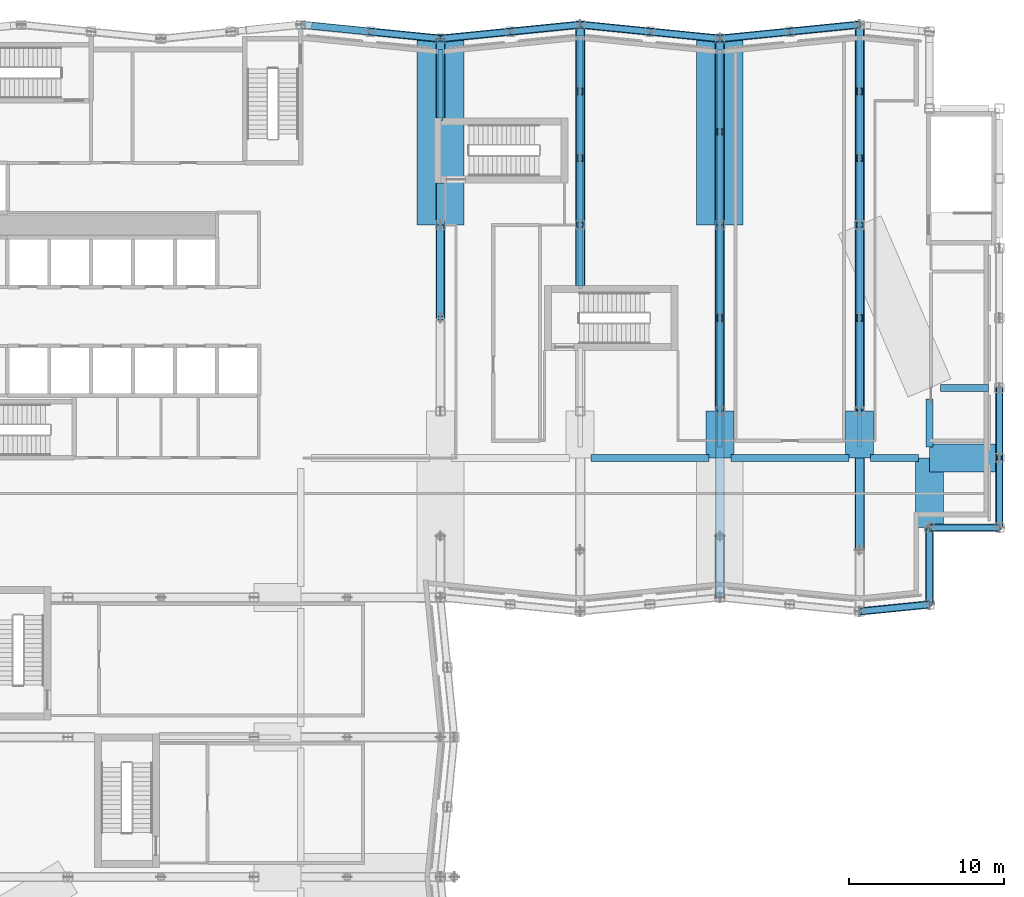
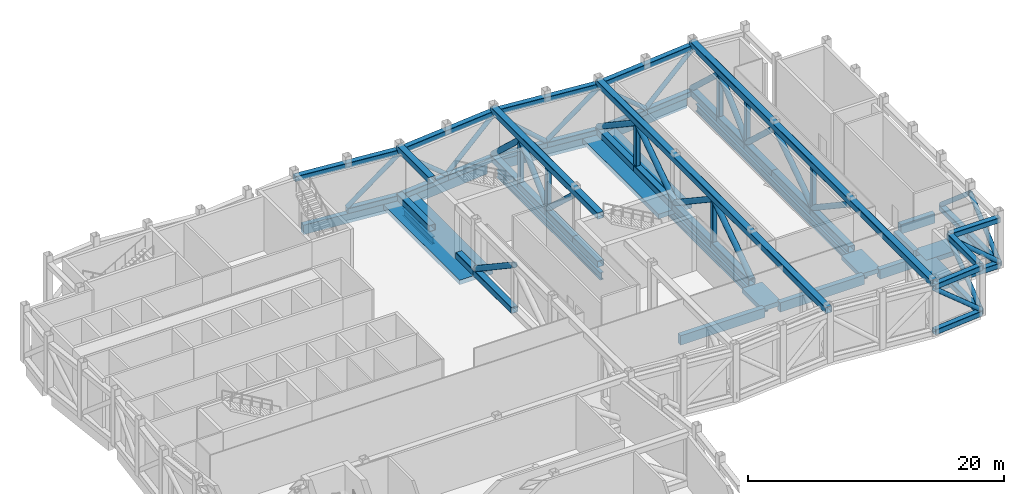
# One storey, part 7 of 22: 71 members, 19 beams.
"""IFC4 building model written with IfcOpenShell, lengths in metres."""

import ifcopenshell
import ifcopenshell.guid

model = None  # the IFC model being written
_history = None  # IfcOwnerHistory: only IFC2X3 demands one
_inside = {}  # id of a spatial element -> (the spatial element, [elements in it])
_under = {}  # id of a project, library or spatial element -> (it, [spatial elements below it])
_declared = {}  # id of a project -> (the project, [libraries it declares])
_typed = {}  # id of a type object -> (the type object, [elements of that type])
_made_of = {}  # id of a material, layer set ... -> (it, [elements and type objects made of it])


def new_model(schema):
    """Start an empty IFC model of exactly this schema.

    Asked for "IFC4X3", IfcOpenShell would pick the latest addendum, in which some entities
    have other attributes; the version numbers below select the first issue.
    IFC2X3 requires an IfcOwnerHistory on every rooted entity: one is made here for all.
    """
    global model, _history
    if schema == "IFC4X3":
        model = ifcopenshell.file(schema_version=(4, 3, 0, 0))
    else:
        model = ifcopenshell.file(schema=schema)
    _inside.clear()
    _under.clear()
    _declared.clear()
    _typed.clear()
    _made_of.clear()
    _history = None
    if model.schema == "IFC2X3":
        org = make("IfcOrganization", Name="unknown")
        user = make(
            "IfcPersonAndOrganization",
            ThePerson=make("IfcPerson", FamilyName="unknown"),
            TheOrganization=org,
        )
        app = make(
            "IfcApplication",
            ApplicationDeveloper=org,
            Version="unknown",
            ApplicationFullName="unknown",
            ApplicationIdentifier="unknown",
        )
        _history = make(
            "IfcOwnerHistory",
            OwningUser=user,
            OwningApplication=app,
            ChangeAction="ADDED",
            CreationDate=0,
        )
    return model


def make(cls, **values):
    """One entity of the class cls with the attributes given. An attribute that is None is left unset."""
    return model.create_entity(
        cls, **{name: value for name, value in values.items() if value is not None}
    )


def rooted(cls, **values):
    """An entity with a GlobalId (a new one), such as an element, a storey or a relation."""
    return make(cls, GlobalId=ifcopenshell.guid.new(), OwnerHistory=_history, **values)


def si_unit(unit_type, name, prefix=None):
    """IfcSIUnit, for example si_unit("LENGTHUNIT", "METRE", prefix="MILLI")."""
    return make("IfcSIUnit", UnitType=unit_type, Prefix=prefix, Name=name)


def assignment(units):
    """IfcUnitAssignment: the units of a project."""
    return None if units is None else make("IfcUnitAssignment", Units=units)


def point(xyz):
    """IfcCartesianPoint."""
    return None if xyz is None else make("IfcCartesianPoint", Coordinates=xyz)


def direction(xyz):
    """IfcDirection."""
    return None if xyz is None else make("IfcDirection", DirectionRatios=xyz)


def frame(location, z_axis=None, x_axis=None):
    """IfcAxis2Placement3D, a coordinate frame: its origin and axes. An axis left out is left unset."""
    return make(
        "IfcAxis2Placement3D",
        Location=point(location),
        Axis=direction(z_axis),
        RefDirection=direction(x_axis),
    )


def frame_2d(location, x_axis=None):
    """IfcAxis2Placement2D, a coordinate frame in the plane: its origin and x axis."""
    return make(
        "IfcAxis2Placement2D", Location=point(location), RefDirection=direction(x_axis)
    )


def origin():
    """The frame at (0, 0, 0) with its axes left unset."""
    return frame((0.0, 0.0, 0.0))


def origin_2d():
    """The frame at (0, 0) in the plane with its x axis left unset."""
    return frame_2d((0.0, 0.0))


def place(relative_to, where):
    """IfcLocalPlacement: puts the frame where relative to a parent placement (None: the world)."""
    return make(
        "IfcLocalPlacement", PlacementRelTo=relative_to, RelativePlacement=where
    )


def context(
    kind, dimensions, precision=None, world=None, true_north=None, identifier=None
):
    """IfcGeometricRepresentationContext, for example the 3D "Model" context."""
    return make(
        "IfcGeometricRepresentationContext",
        ContextIdentifier=identifier,
        ContextType=kind,
        CoordinateSpaceDimension=dimensions,
        Precision=precision,
        WorldCoordinateSystem=world,
        TrueNorth=true_north,
    )


def subcontext(parent, identifier, kind, view, scale=None):
    """IfcGeometricRepresentationSubContext, for example "Body" below "Model"."""
    return make(
        "IfcGeometricRepresentationSubContext",
        ContextIdentifier=identifier,
        ContextType=kind,
        ParentContext=parent,
        TargetScale=scale,
        TargetView=view,
    )


def project(units=None, contexts=None):
    """IfcProject with its units and contexts."""
    return rooted(
        "IfcProject",
        Name="project",
        RepresentationContexts=contexts,
        UnitsInContext=assignment(units),
    )


def spatial(cls, under=None, at=None, **own):
    """A site, building, storey or space (cls), placed at a placement, below another one or the project."""
    s = rooted(cls, ObjectPlacement=at, **own)
    if under is not None:
        _under.setdefault(under.id(), (under, []))[1].append(s)
    return s


def profile(cls, at=None, kind="AREA", **sizes):
    """A parametric profile (cls). Its sizes go by their IFC names, for example OverallWidth=200.0."""
    return make(cls, ProfileType=kind, Position=at, **sizes)


def rectangle(**sizes):
    """IfcRectangleProfileDef."""
    return profile("IfcRectangleProfileDef", **sizes)


def hollow_rectangle(**sizes):
    """IfcRectangleHollowProfileDef."""
    return profile("IfcRectangleHollowProfileDef", **sizes)


def hollow_circle(**sizes):
    """IfcCircleHollowProfileDef."""
    return profile("IfcCircleHollowProfileDef", **sizes)


def i_section(**sizes):
    """IfcIShapeProfileDef."""
    return profile("IfcIShapeProfileDef", **sizes)


def extrude(swept, where, along, depth):
    """IfcExtrudedAreaSolid: the profile swept, set in the frame where, extruded along a direction by depth."""
    return make(
        "IfcExtrudedAreaSolid",
        SweptArea=swept,
        Position=where,
        ExtrudedDirection=direction(along),
        Depth=depth,
    )


def shape(context_of_items, identifier, shape_type, items):
    """IfcShapeRepresentation: the items that make up one representation, for example the "Body"."""
    return make(
        "IfcShapeRepresentation",
        ContextOfItems=context_of_items,
        RepresentationIdentifier=identifier,
        RepresentationType=shape_type,
        Items=items,
    )


def material(Name=None, Category=None):
    """IfcMaterial."""
    return make("IfcMaterial", Name=Name, Category=Category)


def material_profile(
    of_material, cross_section, Name=None, Category=None, Priority=None
):
    """IfcMaterialProfile: a cross section and its material."""
    return make(
        "IfcMaterialProfile",
        Name=Name,
        Material=of_material,
        Profile=cross_section,
        Priority=Priority,
        Category=Category,
    )


def profile_set(profiles, Name=None, composite=None):
    """IfcMaterialProfileSet."""
    return make(
        "IfcMaterialProfileSet",
        Name=Name,
        MaterialProfiles=profiles,
        CompositeProfile=composite,
    )


def made_of(thing, what):
    """Note that an element or type object is made of a material, layer set ...; save() writes the relation."""
    if what is not None:
        _made_of.setdefault(what.id(), (what, []))[1].append(thing)
    return thing


def type_object(cls, material=None, **own):
    """A type object (cls), such as IfcWallType, which elements share."""
    return made_of(rooted(cls, **own), material)


def element(
    cls,
    number,
    at=None,
    inside=None,
    cuts=None,
    type_object=None,
    material=None,
    context=None,
    identifier="Body",
    shape_type=None,
    held_by="IfcProductDefinitionShape",
    body=None,
    shapes=None,
    **own,
):
    """One element of the class cls, such as IfcWall. Its Tag is "e" and its number.

    at: its placement. inside: the storey or other place that contains it. cuts: it is an
    opening in that element (IfcRelVoidsElement). A single representation is given by context,
    identifier, shape_type and body (its items); several are given by shapes. held_by: the class
    of the entity that holds the representations. save() writes the other relations.
    """
    e = rooted(cls, Tag="e%d" % number, ObjectPlacement=at, **own)
    if body is not None:
        shapes = [shape(context, identifier, shape_type, body)]
    if shapes is not None:
        e.Representation = make(held_by, Representations=shapes)
    if inside is not None:
        _inside.setdefault(inside.id(), (inside, []))[1].append(e)
    if cuts is not None:
        rooted(
            "IfcRelVoidsElement", RelatingBuildingElement=cuts, RelatedOpeningElement=e
        )
    if type_object is not None:
        _typed.setdefault(type_object.id(), (type_object, []))[1].append(e)
    return made_of(e, material)


def aggregate(whole, parts):
    """IfcRelAggregates: a whole, such as a stair, and the parts it consists of."""
    return rooted("IfcRelAggregates", RelatingObject=whole, RelatedObjects=parts)


def save(model, path):
    """Write the relations noted so far, then the file.

    IfcRelAggregates (storeys below a building ...), IfcRelContainedInSpatialStructure (elements
    in a storey), IfcRelDefinesByType, IfcRelAssociatesMaterial and IfcRelDeclares: one each for
    every whole, place, type object, material and project.
    """
    for whole, parts in _under.values():
        aggregate(whole, parts)
    for where, things in _inside.values():
        rooted(
            "IfcRelContainedInSpatialStructure",
            RelatedElements=things,
            RelatingStructure=where,
        )
    for kind, things in _typed.values():
        rooted("IfcRelDefinesByType", RelatedObjects=things, RelatingType=kind)
    for what, things in _made_of.values():
        rooted("IfcRelAssociatesMaterial", RelatedObjects=things, RelatingMaterial=what)
    for by, libraries in _declared.values():
        rooted("IfcRelDeclares", RelatingContext=by, RelatedDefinitions=libraries)
    model.write(path)


model = new_model("IFC4")

# Units and contexts
model_context = context("Model", 3, precision=1e-05, world=origin(), true_north=direction((0.0, 1.0)))
body_context = subcontext(model_context, "Body", "Model", "MODEL_VIEW")
ifc_project = project(units=[si_unit("LENGTHUNIT", "METRE"), si_unit("AREAUNIT", "SQUARE_METRE"), si_unit("VOLUMEUNIT", "CUBIC_METRE"), si_unit("PLANEANGLEUNIT", "RADIAN"), si_unit("MASSUNIT", "GRAM", prefix="KILO")], contexts=[model_context])

# Site, building, storey
site_placement = place(None, origin())
site = spatial("IfcSite", under=ifc_project, at=site_placement, CompositionType="ELEMENT")
building_placement = place(site_placement, origin())
building = spatial("IfcBuilding", under=site, at=building_placement, Name="Brondeck Convention Tower", CompositionType="ELEMENT")
storey_placement = place(building_placement, frame((0.0, 0.0, 32.0)))
storey = spatial("IfcBuildingStorey", under=building, at=storey_placement, Name="L05", CompositionType="ELEMENT", Elevation=32.0)

# Beams
ifc_material_1 = material(Name="Concrete C80/95", Category="concrete")
ifc_material_profile_1 = material_profile(ifc_material_1, rectangle(XDim=1.800048828125, YDim=0.43994140625, at=origin_2d()), Name="Band beam 1800x440 Concrete C80/95")
ifc_profile_set_1 = profile_set([ifc_material_profile_1], Name="Concrete C80/95")
beam_type_1 = type_object("IfcBeamType", Name="Band beam 1800x440 Concrete C80/95", PredefinedType="BEAM", material=ifc_profile_set_1)
for number, where, z_axis, x_axis, name in (
    (1, (54.0, 39.0, -0.219970703125), (0.0, -1.0, 0.0), (1.0, 0.0, 0.0), "Band beam L05-13"),
    (2, (63.0, 39.0, -0.219970703125), (0.0, -1.0, 0.0), (1.0, 0.0, 0.0), "Band beam L05-15"),
):
    element("IfcBeam", number, at=place(storey_placement, frame(where, z_axis=z_axis, x_axis=x_axis)), inside=storey, type_object=beam_type_1, Name=name, PredefinedType="BEAM", context=body_context, shape_type="SweptSolid", body=[
        extrude(rectangle(XDim=1.800048828125, YDim=0.43994140625, at=origin_2d()), origin(), (0.0, 0.0, 1.0), 3.0),
    ])
for number, where, z_axis, x_axis, name in (
    (3, (67.5, 31.5, -0.219970703125), (0.0, 1.0, 0.0), (-1.0, 0.0, 0.0), "Band beam L05-17"),
    (4, (72.0, 36.0, -0.219970703125), (-1.0, 0.0, 0.0), (0.0, -1.0, 0.0), "Band beam L05-18"),
):
    element("IfcBeam", number, at=place(storey_placement, frame(where, z_axis=z_axis, x_axis=x_axis)), inside=storey, type_object=beam_type_1, Name=name, PredefinedType="BEAM", context=body_context, shape_type="SweptSolid", body=[
        extrude(rectangle(XDim=1.800048828125, YDim=0.43994140625, at=origin_2d()), origin(), (0.0, 0.0, 1.0), 4.5),
    ])
ifc_material_profile_2 = material_profile(ifc_material_1, rectangle(XDim=3.0, YDim=0.43994140625, at=origin_2d()), Name="Band beam 3000x440 Concrete C80/95")
ifc_profile_set_2 = profile_set([ifc_material_profile_2], Name="Concrete C80/95")
beam_type_2 = type_object("IfcBeamType", Name="Band beam 3000x440 Concrete C80/95", PredefinedType="BEAM", material=ifc_profile_set_2)
for number, where, z_axis, x_axis, name in (
    (5, (36.0, 51.0, -0.219970703125), (0.0, 1.0, 0.0), (-1.0, 0.0, 0.0), "Band beam L05-10"),
    (6, (54.0, 51.0, -0.219970703125), (0.0, 1.0, 0.0), (-1.0, 0.0, 0.0), "Band beam L05-14"),
):
    element("IfcBeam", number, at=place(storey_placement, frame(where, z_axis=z_axis, x_axis=x_axis)), inside=storey, type_object=beam_type_2, Name=name, PredefinedType="BEAM", context=body_context, shape_type="SweptSolid", body=[
        extrude(rectangle(XDim=3.0, YDim=0.43994140625, at=origin_2d()), origin(), (0.0, 0.0, 1.0), 12.0),
    ])
ifc_material_profile_3 = material_profile(ifc_material_1, rectangle(XDim=0.449951171875, YDim=0.89990234375, at=origin_2d()), Name="Edge beam 450x900 Concrete C80/95")
ifc_profile_set_3 = profile_set([ifc_material_profile_3], Name="Concrete C80/95")
beam_type_3 = type_object("IfcBeamType", Name="Edge beam 450x900 Concrete C80/95", PredefinedType="BEAM", material=ifc_profile_set_3)
for number, where, z_axis, x_axis, name in (
    (7, (45.699951171875, 36.0, -0.449951171875), (1.0, 0.0, 0.0), (0.0, 1.0, 0.0), "STR-SP-L05-011"),
    (8, (54.699951171875, 36.0, -0.449951171875), (1.0, 0.0, 0.0), (0.0, 1.0, 0.0), "STR-SP-L05-012"),
):
    element("IfcBeam", number, at=place(storey_placement, frame(where, z_axis=z_axis, x_axis=x_axis)), inside=storey, type_object=beam_type_3, Name=name, PredefinedType="BEAM", context=body_context, shape_type="SweptSolid", body=[
        extrude(rectangle(XDim=0.449951171875, YDim=0.89990234375, at=origin_2d()), origin(), (0.0, 0.0, 1.0), 7.60009765625),
    ])
for number, where, z_axis, x_axis, name in (
    (9, (63.699951171875, 36.0, -0.449951171875), (1.0, 0.0, 0.0), (0.0, 1.0, 0.0), "STR-SP-L05-013"),
    (10, (67.5, 36.699951171875, -0.449951171875), (0.0, 1.0, 0.0), (-1.0, 0.0, 0.0), "STR-SP-L05-014"),
    (11, (68.199951171875, 40.5, -0.449951171875), (1.0, 0.0, 0.0), (0.0, 1.0, 0.0), "STR-SP-L05-015"),
):
    element("IfcBeam", number, at=place(storey_placement, frame(where, z_axis=z_axis, x_axis=x_axis)), inside=storey, type_object=beam_type_3, Name=name, PredefinedType="BEAM", context=body_context, shape_type="SweptSolid", body=[
        extrude(rectangle(XDim=0.449951171875, YDim=0.89990234375, at=origin_2d()), origin(), (0.0, 0.0, 1.0), 3.10009765625),
    ])
for number, where, z_axis, x_axis, name in (
    (12, (62.300048828125, 63.830078125, -0.449951171875), (-0.99503719021, -0.099503719021, 0.0), (0.099503719021, -0.99503719021, 0.0), "STR-SP-L05-021"),
    (13, (53.300048828125, 63.070068359375, -0.449951171875), (-0.99503719021, 0.099503719021, 0.0), (-0.099503719021, -0.99503719021, 0.0), "STR-SP-L05-022"),
    (14, (44.300048828125, 63.830078125, -0.449951171875), (-0.99503719021, -0.099503719021, 0.0), (0.099503719021, -0.99503719021, 0.0), "STR-SP-L05-023"),
    (15, (35.300048828125, 63.070068359375, -0.449951171875), (-0.99503719021, 0.099503719021, 0.0), (-0.099503719021, -0.99503719021, 0.0), "STR-SP-L05-024"),
):
    element("IfcBeam", number, at=place(storey_placement, frame(where, z_axis=z_axis, x_axis=x_axis)), inside=storey, type_object=beam_type_3, Name=name, PredefinedType="BEAM", context=body_context, shape_type="SweptSolid", body=[
        extrude(rectangle(XDim=0.449951171875, YDim=0.89990234375, at=origin_2d()), origin(), (0.0, 0.0, 1.0), 7.637939453125),
    ])
ifc_material_2 = material(Name="Steel S355", Category="steel")
ifc_material_profile_4 = material_profile(ifc_material_2, i_section(OverallWidth=0.300048828125, OverallDepth=0.699951171875, WebThickness=0.01708984375, FlangeThickness=0.031982421875, FilletRadius=0.027099609375, at=origin_2d()), Name="HEB 700")
ifc_profile_set_4 = profile_set([ifc_material_profile_4], Name="Steel S355")
beam_type_4 = type_object("IfcBeamType", Name="Girder HEB 700", PredefinedType="BEAM", material=ifc_profile_set_4)
beam_1_placement = place(storey_placement, frame((36.0, 57.719970703125, -0.800048828125), z_axis=(0.0, 1.0, 0.0), x_axis=(-1.0, 0.0, 0.0)))
element("IfcBeam", 16, at=beam_1_placement, inside=storey, type_object=beam_type_4, Name="STR-GR-L05-002", PredefinedType="BEAM", context=body_context, shape_type="SweptSolid", body=[
    extrude(i_section(OverallWidth=0.300048828125, OverallDepth=0.699951171875, WebThickness=0.01708984375, FlangeThickness=0.031982421875, FilletRadius=0.027099609375, at=origin_2d()), origin(), (0.0, 0.0, 1.0), 4.580078125),
])
beam_2_placement = place(storey_placement, frame((45.0, 46.919921875, -0.800048828125), z_axis=(0.0, 1.0, 0.0), x_axis=(-1.0, 0.0, 0.0)))
element("IfcBeam", 17, at=beam_2_placement, inside=storey, type_object=beam_type_4, Name="STR-GR-L05-004", PredefinedType="BEAM", context=body_context, shape_type="SweptSolid", body=[
    extrude(i_section(OverallWidth=0.300048828125, OverallDepth=0.699951171875, WebThickness=0.01708984375, FlangeThickness=0.031982421875, FilletRadius=0.027099609375, at=origin_2d()), origin(), (0.0, 0.0, 1.0), 16.280029296875),
])
beam_3_placement = place(storey_placement, frame((54.0, 36.699951171875, -0.800048828125), z_axis=(0.0, 1.0, 0.0), x_axis=(-1.0, 0.0, 0.0)))
element("IfcBeam", 18, at=beam_3_placement, inside=storey, type_object=beam_type_4, Name="STR-GR-L05-005", PredefinedType="BEAM", context=body_context, shape_type="SweptSolid", body=[
    extrude(i_section(OverallWidth=0.300048828125, OverallDepth=0.699951171875, WebThickness=0.01708984375, FlangeThickness=0.031982421875, FilletRadius=0.027099609375, at=origin_2d()), origin(), (0.0, 0.0, 1.0), 25.60009765625),
])
beam_4_placement = place(storey_placement, frame((63.0, 36.699951171875, -0.800048828125), z_axis=(0.0, 1.0, 0.0), x_axis=(-1.0, 0.0, 0.0)))
element("IfcBeam", 19, at=beam_4_placement, inside=storey, type_object=beam_type_4, Name="STR-GR-L05-006", PredefinedType="BEAM", context=body_context, shape_type="SweptSolid", body=[
    extrude(i_section(OverallWidth=0.300048828125, OverallDepth=0.699951171875, WebThickness=0.01708984375, FlangeThickness=0.031982421875, FilletRadius=0.027099609375, at=origin_2d()), origin(), (0.0, 0.0, 1.0), 26.5),
])

# Members
ifc_material_3 = material(Name="Steel S460", Category="steel")
ifc_material_profile_5 = material_profile(ifc_material_3, hollow_rectangle(XDim=0.5, YDim=0.5, WallThickness=0.02490234375, InnerFilletRadius=0.02490234375, OuterFilletRadius=0.050048828125, at=origin_2d()), Name="RHS 500x500x25")
ifc_profile_set_5 = profile_set([ifc_material_profile_5], Name="Steel S460")
member_type_1 = type_object("IfcMemberType", Name="Truss chord RHS 500x500x25", PredefinedType="CHORD", material=ifc_profile_set_5)
member_1_placement = place(storey_placement, frame((63.0, 26.10009765625, 4.60009765625), z_axis=(0.995038259148, 0.099493029059, 0.0), x_axis=(-0.099493029059, 0.995038259148, 0.0)))
element("IfcMember", 20, at=member_1_placement, inside=storey, type_object=member_type_1, Name="Transfer truss T1-P1 chord", PredefinedType="CHORD", context=body_context, shape_type="SweptSolid", body=[
    extrude(hollow_rectangle(XDim=0.5, YDim=0.5, WallThickness=0.02490234375, InnerFilletRadius=0.02490234375, OuterFilletRadius=0.050048828125, at=origin_2d()), origin(), (0.0, 0.0, 1.0), 4.5224609375),
])
member_2_placement = place(storey_placement, frame((67.5, 26.550048828125, 4.60009765625), z_axis=(0.0, 1.0, 0.0), x_axis=(-1.0, 0.0, 0.0)))
element("IfcMember", 21, at=member_2_placement, inside=storey, type_object=member_type_1, Name="Transfer truss T1-P1 chord", PredefinedType="CHORD", context=body_context, shape_type="SweptSolid", body=[
    extrude(hollow_rectangle(XDim=0.5, YDim=0.5, WallThickness=0.02490234375, InnerFilletRadius=0.02490234375, OuterFilletRadius=0.050048828125, at=origin_2d()), origin(), (0.0, 0.0, 1.0), 4.949951171875),
])
member_3_placement = place(storey_placement, frame((67.5, 31.5, 4.60009765625), z_axis=(1.0, 0.0, 0.0), x_axis=(0.0, 1.0, 0.0)))
element("IfcMember", 22, at=member_3_placement, inside=storey, type_object=member_type_1, Name="Transfer truss T1-P1 chord", PredefinedType="CHORD", context=body_context, shape_type="SweptSolid", body=[
    extrude(hollow_rectangle(XDim=0.5, YDim=0.5, WallThickness=0.02490234375, InnerFilletRadius=0.02490234375, OuterFilletRadius=0.050048828125, at=origin_2d()), origin(), (0.0, 0.0, 1.0), 4.5),
])
for number, where, z_axis, x_axis, name in (
    (23, (63.0, 63.89990234375, 4.60009765625), (-0.995038259148, -0.099493029059, 0.0), (0.099493029059, -0.995038259148, 0.0), "Transfer truss T1-P1 chord"),
    (24, (54.0, 63.0, 4.60009765625), (-0.995038259148, 0.099493029059, 0.0), (-0.099493029059, -0.995038259148, 0.0), "Transfer truss T1-P1 chord"),
    (25, (45.0, 63.89990234375, 4.60009765625), (-0.995038259148, -0.099493029059, 0.0), (0.099493029059, -0.995038259148, 0.0), "Transfer truss T1-P1 chord"),
    (26, (36.0, 63.0, 4.60009765625), (-0.995038259148, 0.099493029059, 0.0), (-0.099493029059, -0.995038259148, 0.0), "Transfer truss T1-P1 chord"),
):
    element("IfcMember", number, at=place(storey_placement, frame(where, z_axis=z_axis, x_axis=x_axis)), inside=storey, type_object=member_type_1, Name=name, PredefinedType="CHORD", context=body_context, shape_type="SweptSolid", body=[
        extrude(hollow_rectangle(XDim=0.5, YDim=0.5, WallThickness=0.02490234375, InnerFilletRadius=0.02490234375, OuterFilletRadius=0.050048828125, at=origin_2d()), origin(), (0.0, 0.0, 1.0), 9.044921875),
    ])
member_4_placement = place(storey_placement, frame((63.0, 26.10009765625, 0.25), z_axis=(0.995038259148, 0.099493029059, 0.0), x_axis=(-0.099493029059, 0.995038259148, 0.0)))
element("IfcMember", 27, at=member_4_placement, inside=storey, type_object=member_type_1, Name="Transfer truss T1-P1 chord", PredefinedType="CHORD", context=body_context, shape_type="SweptSolid", body=[
    extrude(hollow_rectangle(XDim=0.5, YDim=0.5, WallThickness=0.02490234375, InnerFilletRadius=0.02490234375, OuterFilletRadius=0.050048828125, at=origin_2d()), origin(), (0.0, 0.0, 1.0), 4.5224609375),
])
member_5_placement = place(storey_placement, frame((67.5, 26.550048828125, 0.25), z_axis=(0.0, 1.0, 0.0), x_axis=(-1.0, 0.0, 0.0)))
element("IfcMember", 28, at=member_5_placement, inside=storey, type_object=member_type_1, Name="Transfer truss T1-P1 chord", PredefinedType="CHORD", context=body_context, shape_type="SweptSolid", body=[
    extrude(hollow_rectangle(XDim=0.5, YDim=0.5, WallThickness=0.02490234375, InnerFilletRadius=0.02490234375, OuterFilletRadius=0.050048828125, at=origin_2d()), origin(), (0.0, 0.0, 1.0), 4.949951171875),
])
for number, where, z_axis, x_axis, name in (
    (29, (67.5, 31.5, 0.25), (1.0, 0.0, 0.0), (0.0, 1.0, 0.0), "Transfer truss T1-P1 chord"),
    (30, (72.0, 31.5, 0.25), (0.0, 1.0, 0.0), (-1.0, 0.0, 0.0), "Transfer truss T1-P1 chord"),
    (31, (72.0, 36.0, 0.25), (0.0, 1.0, 0.0), (-1.0, 0.0, 0.0), "Transfer truss T1-P1 chord"),
):
    element("IfcMember", number, at=place(storey_placement, frame(where, z_axis=z_axis, x_axis=x_axis)), inside=storey, type_object=member_type_1, Name=name, PredefinedType="CHORD", context=body_context, shape_type="SweptSolid", body=[
        extrude(hollow_rectangle(XDim=0.5, YDim=0.5, WallThickness=0.02490234375, InnerFilletRadius=0.02490234375, OuterFilletRadius=0.050048828125, at=origin_2d()), origin(), (0.0, 0.0, 1.0), 4.5),
    ])
for number, where, z_axis, x_axis, name in (
    (32, (63.0, 63.89990234375, 0.25), (-0.995038259148, -0.099493029059, 0.0), (0.099493029059, -0.995038259148, 0.0), "Transfer truss T1-P1 chord"),
    (33, (58.5, 63.449951171875, 0.25), (-0.995038259148, -0.099493029059, 0.0), (0.099493029059, -0.995038259148, 0.0), "Transfer truss T1-P1 chord"),
    (34, (54.0, 63.0, 0.25), (-0.995038259148, 0.099493029059, 0.0), (-0.099493029059, -0.995038259148, 0.0), "Transfer truss T1-P1 chord"),
    (35, (49.5, 63.449951171875, 0.25), (-0.995038259148, 0.099493029059, 0.0), (-0.099493029059, -0.995038259148, 0.0), "Transfer truss T1-P1 chord"),
    (36, (45.0, 63.89990234375, 0.25), (-0.995038259148, -0.099493029059, 0.0), (0.099493029059, -0.995038259148, 0.0), "Transfer truss T1-P1 chord"),
    (37, (40.5, 63.449951171875, 0.25), (-0.995038259148, -0.099493029059, 0.0), (0.099493029059, -0.995038259148, 0.0), "Transfer truss T1-P1 chord"),
    (38, (36.0, 63.0, 0.25), (-0.995038259148, 0.099493029059, 0.0), (-0.099493029059, -0.995038259148, 0.0), "Transfer truss T1-P1 chord"),
):
    element("IfcMember", number, at=place(storey_placement, frame(where, z_axis=z_axis, x_axis=x_axis)), inside=storey, type_object=member_type_1, Name=name, PredefinedType="CHORD", context=body_context, shape_type="SweptSolid", body=[
        extrude(hollow_rectangle(XDim=0.5, YDim=0.5, WallThickness=0.02490234375, InnerFilletRadius=0.02490234375, OuterFilletRadius=0.050048828125, at=origin_2d()), origin(), (0.0, 0.0, 1.0), 4.5224609375),
    ])
ifc_material_profile_6 = material_profile(ifc_material_3, hollow_rectangle(XDim=0.60009765625, YDim=0.60009765625, WallThickness=0.030029296875, InnerFilletRadius=0.030029296875, OuterFilletRadius=0.06005859375, at=origin_2d()), Name="RHS 600x600x30")
ifc_profile_set_6 = profile_set([ifc_material_profile_6], Name="Steel S460")
member_type_2 = type_object("IfcMemberType", Name="Truss chord RHS 600x600x30", PredefinedType="CHORD", material=ifc_profile_set_6)
member_6_placement = place(storey_placement, frame((36.0, 57.89990234375, 4.89990234375), z_axis=(0.0, 1.0, 0.0), x_axis=(-1.0, 0.0, 0.0)))
element("IfcMember", 39, at=member_6_placement, inside=storey, type_object=member_type_2, Name="Transfer truss T1-A1 chord", PredefinedType="CHORD", context=body_context, shape_type="SweptSolid", body=[
    extrude(hollow_rectangle(XDim=0.60009765625, YDim=0.60009765625, WallThickness=0.030029296875, InnerFilletRadius=0.030029296875, OuterFilletRadius=0.06005859375, at=origin_2d()), origin(), (0.0, 0.0, 1.0), 5.10009765625),
])
member_7_placement = place(storey_placement, frame((36.0, 45.0, 0.300048828125), z_axis=(0.0, 1.0, 0.0), x_axis=(-1.0, 0.0, 0.0)))
element("IfcMember", 40, at=member_7_placement, inside=storey, type_object=member_type_2, Name="Transfer truss T1-A1 chord", PredefinedType="CHORD", context=body_context, shape_type="SweptSolid", body=[
    extrude(hollow_rectangle(XDim=0.60009765625, YDim=0.60009765625, WallThickness=0.030029296875, InnerFilletRadius=0.030029296875, OuterFilletRadius=0.06005859375, at=origin_2d()), origin(), (0.0, 0.0, 1.0), 6.0),
])
member_8_placement = place(storey_placement, frame((36.0, 51.0, 0.300048828125), z_axis=(0.0, 1.0, 0.0), x_axis=(-1.0, 0.0, 0.0)))
element("IfcMember", 41, at=member_8_placement, inside=storey, type_object=member_type_2, Name="Transfer truss T1-A1 chord", PredefinedType="CHORD", context=body_context, shape_type="SweptSolid", body=[
    extrude(hollow_rectangle(XDim=0.60009765625, YDim=0.60009765625, WallThickness=0.030029296875, InnerFilletRadius=0.030029296875, OuterFilletRadius=0.06005859375, at=origin_2d()), origin(), (0.0, 0.0, 1.0), 2.699951171875),
])
member_9_placement = place(storey_placement, frame((36.0, 57.89990234375, 0.300048828125), z_axis=(0.0, 1.0, 0.0), x_axis=(-1.0, 0.0, 0.0)))
element("IfcMember", 42, at=member_9_placement, inside=storey, type_object=member_type_2, Name="Transfer truss T1-A1 chord", PredefinedType="CHORD", context=body_context, shape_type="SweptSolid", body=[
    extrude(hollow_rectangle(XDim=0.60009765625, YDim=0.60009765625, WallThickness=0.030029296875, InnerFilletRadius=0.030029296875, OuterFilletRadius=0.06005859375, at=origin_2d()), origin(), (0.0, 0.0, 1.0), 5.10009765625),
])
member_10_placement = place(storey_placement, frame((45.0, 47.10009765625, 4.89990234375), z_axis=(0.0, 1.0, 0.0), x_axis=(-1.0, 0.0, 0.0)))
element("IfcMember", 43, at=member_10_placement, inside=storey, type_object=member_type_2, Name="Transfer truss T1-A2 chord", PredefinedType="CHORD", context=body_context, shape_type="SweptSolid", body=[
    extrude(hollow_rectangle(XDim=0.60009765625, YDim=0.60009765625, WallThickness=0.030029296875, InnerFilletRadius=0.030029296875, OuterFilletRadius=0.06005859375, at=origin_2d()), origin(), (0.0, 0.0, 1.0), 16.7998046875),
])
member_11_placement = place(storey_placement, frame((45.0, 47.10009765625, 0.300048828125), z_axis=(0.0, 1.0, 0.0), x_axis=(-1.0, 0.0, 0.0)))
element("IfcMember", 44, at=member_11_placement, inside=storey, type_object=member_type_2, Name="Transfer truss T1-A2 chord", PredefinedType="CHORD", context=body_context, shape_type="SweptSolid", body=[
    extrude(hollow_rectangle(XDim=0.60009765625, YDim=0.60009765625, WallThickness=0.030029296875, InnerFilletRadius=0.030029296875, OuterFilletRadius=0.06005859375, at=origin_2d()), origin(), (0.0, 0.0, 1.0), 3.89990234375),
])
for number, where, z_axis, x_axis, name in (
    (45, (45.0, 51.0, 0.300048828125), (0.0, 1.0, 0.0), (-1.0, 0.0, 0.0), "Transfer truss T1-A2 chord"),
    (46, (45.0, 55.300048828125, 0.300048828125), (0.0, 1.0, 0.0), (-1.0, 0.0, 0.0), "Transfer truss T1-A2 chord"),
):
    element("IfcMember", number, at=place(storey_placement, frame(where, z_axis=z_axis, x_axis=x_axis)), inside=storey, type_object=member_type_2, Name=name, PredefinedType="CHORD", context=body_context, shape_type="SweptSolid", body=[
        extrude(hollow_rectangle(XDim=0.60009765625, YDim=0.60009765625, WallThickness=0.030029296875, InnerFilletRadius=0.030029296875, OuterFilletRadius=0.06005859375, at=origin_2d()), origin(), (0.0, 0.0, 1.0), 4.300048828125),
    ])
member_12_placement = place(storey_placement, frame((45.0, 59.60009765625, 0.300048828125), z_axis=(0.0, 1.0, 0.0), x_axis=(-1.0, 0.0, 0.0)))
element("IfcMember", 47, at=member_12_placement, inside=storey, type_object=member_type_2, Name="Transfer truss T1-A2 chord", PredefinedType="CHORD", context=body_context, shape_type="SweptSolid", body=[
    extrude(hollow_rectangle(XDim=0.60009765625, YDim=0.60009765625, WallThickness=0.030029296875, InnerFilletRadius=0.030029296875, OuterFilletRadius=0.06005859375, at=origin_2d()), origin(), (0.0, 0.0, 1.0), 4.2998046875),
])
member_13_placement = place(storey_placement, frame((54.0, 27.0, 4.89990234375), z_axis=(0.0, 1.0, 0.0), x_axis=(-1.0, 0.0, 0.0)))
element("IfcMember", 48, at=member_13_placement, inside=storey, type_object=member_type_2, Name="Transfer truss T1-A3 chord", PredefinedType="CHORD", context=body_context, shape_type="SweptSolid", body=[
    extrude(hollow_rectangle(XDim=0.60009765625, YDim=0.60009765625, WallThickness=0.030029296875, InnerFilletRadius=0.030029296875, OuterFilletRadius=0.06005859375, at=origin_2d()), origin(), (0.0, 0.0, 1.0), 36.0),
])
for number, where, z_axis, x_axis, name in (
    (49, (54.0, 39.0, 0.300048828125), (0.0, 1.0, 0.0), (-1.0, 0.0, 0.0), "Transfer truss T1-A3 chord"),
    (50, (54.0, 45.0, 0.300048828125), (0.0, 1.0, 0.0), (-1.0, 0.0, 0.0), "Transfer truss T1-A3 chord"),
    (51, (54.0, 51.0, 0.300048828125), (0.0, 1.0, 0.0), (-1.0, 0.0, 0.0), "Transfer truss T1-A3 chord"),
    (52, (54.0, 57.0, 0.300048828125), (0.0, 1.0, 0.0), (-1.0, 0.0, 0.0), "Transfer truss T1-A3 chord"),
):
    element("IfcMember", number, at=place(storey_placement, frame(where, z_axis=z_axis, x_axis=x_axis)), inside=storey, type_object=member_type_2, Name=name, PredefinedType="CHORD", context=body_context, shape_type="SweptSolid", body=[
        extrude(hollow_rectangle(XDim=0.60009765625, YDim=0.60009765625, WallThickness=0.030029296875, InnerFilletRadius=0.030029296875, OuterFilletRadius=0.06005859375, at=origin_2d()), origin(), (0.0, 0.0, 1.0), 6.0),
    ])
member_14_placement = place(storey_placement, frame((63.0, 26.10009765625, 4.89990234375), z_axis=(0.0, 1.0, 0.0), x_axis=(-1.0, 0.0, 0.0)))
element("IfcMember", 53, at=member_14_placement, inside=storey, type_object=member_type_2, Name="Transfer truss T1-A4 chord", PredefinedType="CHORD", context=body_context, shape_type="SweptSolid", body=[
    extrude(hollow_rectangle(XDim=0.60009765625, YDim=0.60009765625, WallThickness=0.030029296875, InnerFilletRadius=0.030029296875, OuterFilletRadius=0.06005859375, at=origin_2d()), origin(), (0.0, 0.0, 1.0), 37.7998046875),
])
for number, where, z_axis, x_axis, name in (
    (54, (63.0, 39.0, 0.300048828125), (0.0, 1.0, 0.0), (-1.0, 0.0, 0.0), "Transfer truss T1-A4 chord"),
    (55, (63.0, 45.0, 0.300048828125), (0.0, 1.0, 0.0), (-1.0, 0.0, 0.0), "Transfer truss T1-A4 chord"),
):
    element("IfcMember", number, at=place(storey_placement, frame(where, z_axis=z_axis, x_axis=x_axis)), inside=storey, type_object=member_type_2, Name=name, PredefinedType="CHORD", context=body_context, shape_type="SweptSolid", body=[
        extrude(hollow_rectangle(XDim=0.60009765625, YDim=0.60009765625, WallThickness=0.030029296875, InnerFilletRadius=0.030029296875, OuterFilletRadius=0.06005859375, at=origin_2d()), origin(), (0.0, 0.0, 1.0), 6.0),
    ])
for number, where, z_axis, x_axis, name in (
    (56, (63.0, 51.0, 0.300048828125), (0.0, 1.0, 0.0), (-1.0, 0.0, 0.0), "Transfer truss T1-A4 chord"),
    (57, (63.0, 55.300048828125, 0.300048828125), (0.0, 1.0, 0.0), (-1.0, 0.0, 0.0), "Transfer truss T1-A4 chord"),
):
    element("IfcMember", number, at=place(storey_placement, frame(where, z_axis=z_axis, x_axis=x_axis)), inside=storey, type_object=member_type_2, Name=name, PredefinedType="CHORD", context=body_context, shape_type="SweptSolid", body=[
        extrude(hollow_rectangle(XDim=0.60009765625, YDim=0.60009765625, WallThickness=0.030029296875, InnerFilletRadius=0.030029296875, OuterFilletRadius=0.06005859375, at=origin_2d()), origin(), (0.0, 0.0, 1.0), 4.300048828125),
    ])
member_15_placement = place(storey_placement, frame((63.0, 59.60009765625, 0.300048828125), z_axis=(0.0, 1.0, 0.0), x_axis=(-1.0, 0.0, 0.0)))
element("IfcMember", 58, at=member_15_placement, inside=storey, type_object=member_type_2, Name="Transfer truss T1-A4 chord", PredefinedType="CHORD", context=body_context, shape_type="SweptSolid", body=[
    extrude(hollow_rectangle(XDim=0.60009765625, YDim=0.60009765625, WallThickness=0.030029296875, InnerFilletRadius=0.030029296875, OuterFilletRadius=0.06005859375, at=origin_2d()), origin(), (0.0, 0.0, 1.0), 4.2998046875),
])
ifc_material_profile_7 = material_profile(ifc_material_3, hollow_circle(Radius=0.203125, WallThickness=0.02490234375, at=origin_2d()), Name="CHS 406.4x25")
ifc_profile_set_7 = profile_set([ifc_material_profile_7], Name="Steel S460")
member_type_3 = type_object("IfcMemberType", Name="Truss diagonal CHS 406.4x25", PredefinedType="BRACE", material=ifc_profile_set_7)
member_16_placement = place(storey_placement, frame((63.0, 26.10009765625, 4.35009765625), z_axis=(0.757660496322, 0.07575782849, -0.648237089139), x_axis=(-0.099493029059, 0.995038259148, 0.0)))
element("IfcMember", 59, at=member_16_placement, inside=storey, type_object=member_type_3, Name="Transfer truss T1-P1 diagonal", PredefinedType="BRACE", context=body_context, shape_type="SweptSolid", body=[
    extrude(hollow_circle(Radius=0.203125, WallThickness=0.02490234375, at=origin_2d()), origin(), (0.0, 0.0, 1.0), 5.939453125),
])
member_17_placement = place(storey_placement, frame((67.5, 26.550048828125, 0.5), z_axis=(0.0, 0.78934173563, 0.613954089809), x_axis=(-1.0, 0.0, 0.0)))
element("IfcMember", 60, at=member_17_placement, inside=storey, type_object=member_type_3, Name="Transfer truss T1-P1 diagonal", PredefinedType="BRACE", context=body_context, shape_type="SweptSolid", body=[
    extrude(hollow_circle(Radius=0.203125, WallThickness=0.02490234375, at=origin_2d()), origin(), (0.0, 0.0, 1.0), 6.27099609375),
])
for number, where, z_axis, x_axis, name in (
    (61, (67.5, 31.5, 4.35009765625), (0.759844100981, 0.0, -0.650105331623), (0.0, 1.0, 0.0), "Transfer truss T1-P1 diagonal"),
    (62, (72.0, 31.5, 0.5), (0.0, 0.759844100981, 0.650105331623), (-1.0, 0.0, 0.0), "Transfer truss T1-P1 diagonal"),
    (63, (72.0, 36.0, 4.35009765625), (0.0, 0.759844100981, -0.650105331623), (-1.0, 0.0, 0.0), "Transfer truss T1-P1 diagonal"),
):
    element("IfcMember", number, at=place(storey_placement, frame(where, z_axis=z_axis, x_axis=x_axis)), inside=storey, type_object=member_type_3, Name=name, PredefinedType="BRACE", context=body_context, shape_type="SweptSolid", body=[
        extrude(hollow_circle(Radius=0.203125, WallThickness=0.02490234375, at=origin_2d()), origin(), (0.0, 0.0, 1.0), 5.92236328125),
    ])
for number, where, z_axis, x_axis, name in (
    (64, (63.0, 63.89990234375, 4.35009765625), (-0.757660496322, -0.07575782849, -0.648237089139), (0.099493029059, -0.995038259148, 0.0), "Transfer truss T1-P1 diagonal"),
    (65, (58.5, 63.449951171875, 0.5), (-0.757660496322, -0.07575782849, 0.648237089139), (0.099493029059, -0.995038259148, 0.0), "Transfer truss T1-P1 diagonal"),
    (66, (54.0, 63.0, 4.35009765625), (-0.757660496322, 0.07575782849, -0.648237089139), (-0.099493029059, -0.995038259148, 0.0), "Transfer truss T1-P1 diagonal"),
    (67, (49.5, 63.449951171875, 0.5), (-0.757660496322, 0.07575782849, 0.648237089139), (-0.099493029059, -0.995038259148, 0.0), "Transfer truss T1-P1 diagonal"),
    (68, (45.0, 63.89990234375, 4.35009765625), (-0.757660496322, -0.07575782849, -0.648237089139), (0.099493029059, -0.995038259148, 0.0), "Transfer truss T1-P1 diagonal"),
    (69, (40.5, 63.449951171875, 0.5), (-0.757660496322, -0.07575782849, 0.648237089139), (0.099493029059, -0.995038259148, 0.0), "Transfer truss T1-P1 diagonal"),
    (70, (36.0, 63.0, 4.35009765625), (-0.757660496322, 0.07575782849, -0.648237089139), (-0.099493029059, -0.995038259148, 0.0), "Transfer truss T1-P1 diagonal"),
):
    element("IfcMember", number, at=place(storey_placement, frame(where, z_axis=z_axis, x_axis=x_axis)), inside=storey, type_object=member_type_3, Name=name, PredefinedType="BRACE", context=body_context, shape_type="SweptSolid", body=[
        extrude(hollow_circle(Radius=0.203125, WallThickness=0.02490234375, at=origin_2d()), origin(), (0.0, 0.0, 1.0), 5.939453125),
    ])
ifc_material_profile_8 = material_profile(ifc_material_3, hollow_circle(Radius=0.25390625, WallThickness=0.030029296875, at=origin_2d()), Name="CHS 508x30")
ifc_profile_set_8 = profile_set([ifc_material_profile_8], Name="Steel S460")
member_type_4 = type_object("IfcMemberType", Name="Truss diagonal CHS 508x30", PredefinedType="BRACE", material=ifc_profile_set_8)
member_18_placement = place(storey_placement, frame((36.0, 45.0, 4.60009765625), z_axis=(0.0, 0.832050294338, -0.554700196225), x_axis=(-1.0, 0.0, 0.0)))
element("IfcMember", 71, at=member_18_placement, inside=storey, type_object=member_type_4, Name="Transfer truss T1-A1 diagonal", PredefinedType="BRACE", context=body_context, shape_type="SweptSolid", body=[
    extrude(hollow_circle(Radius=0.25390625, WallThickness=0.030029296875, at=origin_2d()), origin(), (0.0, 0.0, 1.0), 7.211181640625),
])
for number, where, z_axis, x_axis, name in (
    (72, (45.0, 51.0, 4.60009765625), (0.0, 0.732190595133, -0.681099796211), (-1.0, 0.0, 0.0), "Transfer truss T1-A2 diagonal"),
    (73, (45.0, 55.300048828125, 0.60009765625), (0.0, 0.732190595133, 0.681099796211), (-1.0, 0.0, 0.0), "Transfer truss T1-A2 diagonal"),
):
    element("IfcMember", number, at=place(storey_placement, frame(where, z_axis=z_axis, x_axis=x_axis)), inside=storey, type_object=member_type_4, Name=name, PredefinedType="BRACE", context=body_context, shape_type="SweptSolid", body=[
        extrude(hollow_circle(Radius=0.25390625, WallThickness=0.030029296875, at=origin_2d()), origin(), (0.0, 0.0, 1.0), 5.872802734375),
    ])
member_19_placement = place(storey_placement, frame((45.0, 59.60009765625, 4.60009765625), z_axis=(0.0, 0.732171309578, -0.681120527829), x_axis=(-1.0, 0.0, 0.0)))
element("IfcMember", 74, at=member_19_placement, inside=storey, type_object=member_type_4, Name="Transfer truss T1-A2 diagonal", PredefinedType="BRACE", context=body_context, shape_type="SweptSolid", body=[
    extrude(hollow_circle(Radius=0.25390625, WallThickness=0.030029296875, at=origin_2d()), origin(), (0.0, 0.0, 1.0), 5.87255859375),
])
for number, where, z_axis, x_axis, name in (
    (75, (54.0, 39.0, 0.60009765625), (0.0, 0.832050294338, 0.554700196225), (-1.0, 0.0, 0.0), "Transfer truss T1-A3 diagonal"),
    (76, (54.0, 45.0, 4.60009765625), (0.0, 0.832050294338, -0.554700196225), (-1.0, 0.0, 0.0), "Transfer truss T1-A3 diagonal"),
    (77, (54.0, 51.0, 0.60009765625), (0.0, 0.832050294338, 0.554700196225), (-1.0, 0.0, 0.0), "Transfer truss T1-A3 diagonal"),
    (78, (54.0, 57.0, 4.60009765625), (0.0, 0.832050294338, -0.554700196225), (-1.0, 0.0, 0.0), "Transfer truss T1-A3 diagonal"),
    (79, (63.0, 39.0, 4.60009765625), (0.0, 0.832050294338, -0.554700196225), (-1.0, 0.0, 0.0), "Transfer truss T1-A4 diagonal"),
    (80, (63.0, 45.0, 0.60009765625), (0.0, 0.832050294338, 0.554700196225), (-1.0, 0.0, 0.0), "Transfer truss T1-A4 diagonal"),
):
    element("IfcMember", number, at=place(storey_placement, frame(where, z_axis=z_axis, x_axis=x_axis)), inside=storey, type_object=member_type_4, Name=name, PredefinedType="BRACE", context=body_context, shape_type="SweptSolid", body=[
        extrude(hollow_circle(Radius=0.25390625, WallThickness=0.030029296875, at=origin_2d()), origin(), (0.0, 0.0, 1.0), 7.211181640625),
    ])
for number, where, z_axis, x_axis, name in (
    (81, (63.0, 51.0, 4.60009765625), (0.0, 0.732190595133, -0.681099796211), (-1.0, 0.0, 0.0), "Transfer truss T1-A4 diagonal"),
    (82, (63.0, 55.300048828125, 0.60009765625), (0.0, 0.732190595133, 0.681099796211), (-1.0, 0.0, 0.0), "Transfer truss T1-A4 diagonal"),
):
    element("IfcMember", number, at=place(storey_placement, frame(where, z_axis=z_axis, x_axis=x_axis)), inside=storey, type_object=member_type_4, Name=name, PredefinedType="BRACE", context=body_context, shape_type="SweptSolid", body=[
        extrude(hollow_circle(Radius=0.25390625, WallThickness=0.030029296875, at=origin_2d()), origin(), (0.0, 0.0, 1.0), 5.872802734375),
    ])
member_20_placement = place(storey_placement, frame((63.0, 59.60009765625, 4.60009765625), z_axis=(0.0, 0.732171309578, -0.681120527829), x_axis=(-1.0, 0.0, 0.0)))
element("IfcMember", 83, at=member_20_placement, inside=storey, type_object=member_type_4, Name="Transfer truss T1-A4 diagonal", PredefinedType="BRACE", context=body_context, shape_type="SweptSolid", body=[
    extrude(hollow_circle(Radius=0.25390625, WallThickness=0.030029296875, at=origin_2d()), origin(), (0.0, 0.0, 1.0), 5.87255859375),
])
ifc_material_profile_9 = material_profile(ifc_material_3, hollow_rectangle(XDim=0.39990234375, YDim=0.39990234375, WallThickness=0.02001953125, InnerFilletRadius=0.02001953125, OuterFilletRadius=0.0400390625, at=origin_2d()), Name="RHS 400x400x20")
ifc_profile_set_9 = profile_set([ifc_material_profile_9], Name="Steel S460")
member_type_5 = type_object("IfcMemberType", Name="Truss vertical RHS 400x400x20", PredefinedType="STRUT", material=ifc_profile_set_9)
for number, where, z_axis, x_axis, name in (
    (84, (45.0, 55.300048828125, 0.60009765625), (0.0, 0.0, 1.0), (1.0, 0.0, 0.0), "Transfer truss T1-A2 vertical"),
    (85, (45.0, 59.60009765625, 0.60009765625), (0.0, 0.0, 1.0), (1.0, 0.0, 0.0), "Transfer truss T1-A2 vertical"),
    (86, (54.0, 45.0, 0.60009765625), (0.0, 0.0, 1.0), (1.0, 0.0, 0.0), "Transfer truss T1-A3 vertical"),
    (87, (54.0, 57.0, 0.60009765625), (0.0, 0.0, 1.0), (1.0, 0.0, 0.0), "Transfer truss T1-A3 vertical"),
    (88, (63.0, 45.0, 0.60009765625), (0.0, 0.0, 1.0), (1.0, 0.0, 0.0), "Transfer truss T1-A4 vertical"),
    (89, (63.0, 55.300048828125, 0.60009765625), (0.0, 0.0, 1.0), (1.0, 0.0, 0.0), "Transfer truss T1-A4 vertical"),
    (90, (63.0, 59.60009765625, 0.60009765625), (0.0, 0.0, 1.0), (1.0, 0.0, 0.0), "Transfer truss T1-A4 vertical"),
):
    element("IfcMember", number, at=place(storey_placement, frame(where, z_axis=z_axis, x_axis=x_axis)), inside=storey, type_object=member_type_5, Name=name, PredefinedType="STRUT", context=body_context, shape_type="SweptSolid", body=[
        extrude(hollow_rectangle(XDim=0.39990234375, YDim=0.39990234375, WallThickness=0.02001953125, InnerFilletRadius=0.02001953125, OuterFilletRadius=0.0400390625, at=origin_2d()), origin(), (0.0, 0.0, 1.0), 4.0),
    ])

save(model, "model.ifc")
